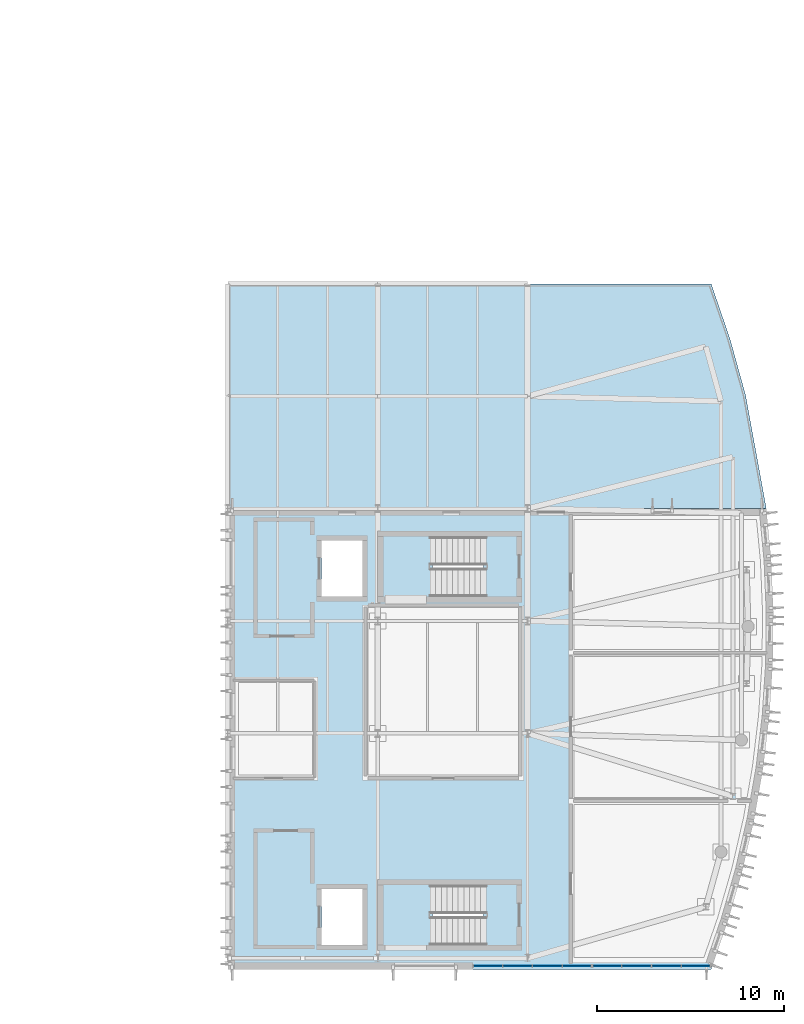
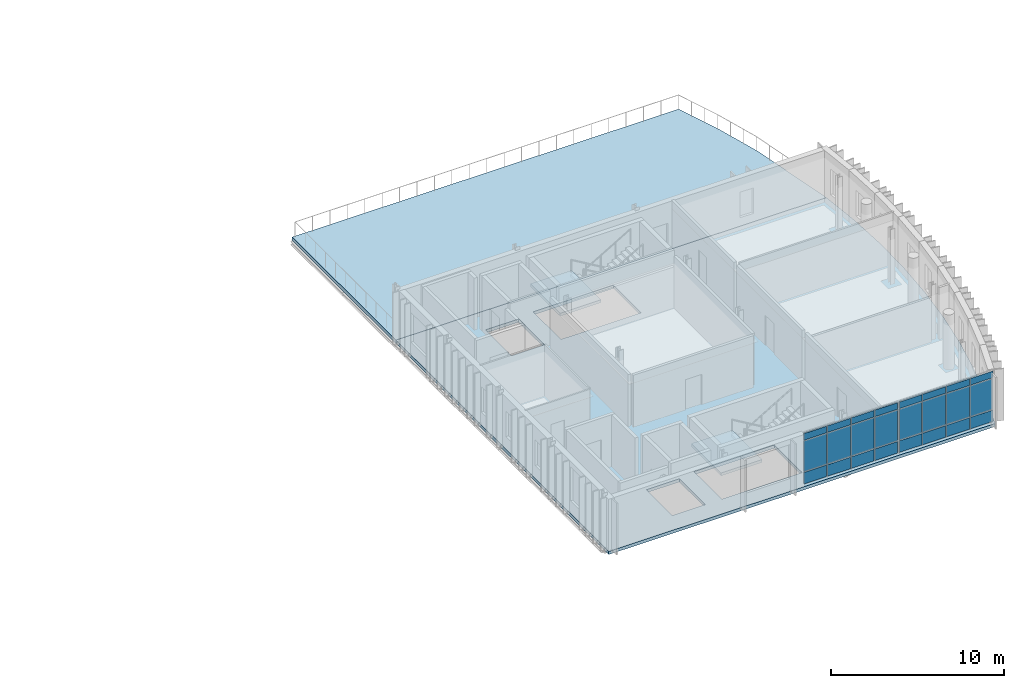
# One storey, part 22 of 40: 24 plates, 4 slabs, 4 elements without a shape of their own.
"""IFC4 building model written with IfcOpenShell, lengths in metres."""

from ifc_helpers import new_model, si_unit, direction, frame, origin, origin_2d, place, context, subcontext, project, spatial, polyline, rectangle, outline, extrude, material, layer, layer_set, type_object, element, aggregate, save


model = new_model("IFC4")

# Units and contexts
model_context = context("Model", 3, precision=1e-05, world=origin(), true_north=direction((0.0, 1.0)))
body_context = subcontext(model_context, "Body", "Model", "MODEL_VIEW")
ifc_project = project(units=[si_unit("LENGTHUNIT", "METRE"), si_unit("AREAUNIT", "SQUARE_METRE"), si_unit("VOLUMEUNIT", "CUBIC_METRE"), si_unit("PLANEANGLEUNIT", "RADIAN"), si_unit("MASSUNIT", "GRAM", prefix="KILO")], contexts=[model_context])

# Site, building, storey
site_placement = place(None, origin())
site = spatial("IfcSite", under=ifc_project, at=site_placement, CompositionType="ELEMENT")
building_placement = place(site_placement, origin())
building = spatial("IfcBuilding", under=site, at=building_placement, Name="Cymarion Research Institute", CompositionType="ELEMENT")
storey_placement = place(building_placement, frame((0.0, 0.0, 26.699951171875)))
storey = spatial("IfcBuildingStorey", under=building, at=storey_placement, Name="L06", CompositionType="ELEMENT", Elevation=26.699951171875)

# Slab
ifc_material_1 = material(Name="Concrete C35/45", Category="concrete")
ifc_layer_1 = layer(ifc_material_1, 0.219970703125)
ifc_layer_set_1 = layer_set([ifc_layer_1], Name="Concrete C35/45")
slab_type_1 = type_object("IfcSlabType", Name="COMPOSITE FLOOR SLAB SL-FL220 220MM", PredefinedType="FLOOR", material=ifc_layer_set_1)
slab_1_placement = place(storey_placement, frame((0.0, 0.0, -0.219970703125)))
element("IfcSlab", 1, at=slab_1_placement, inside=storey, type_object=slab_type_1, Name="L06 V1 floor slab", PredefinedType="FLOOR", context=body_context, shape_type="SweptSolid", body=[
    extrude(outline(polyline([(138.60009765625, 4.89990234375), (164.39990234375, 4.89990234375), (165.30810546875, 7.526611328125), (166.07470703125, 10.197998046875), (166.697509765625, 12.906494140625), (167.1748046875, 15.64453125), (167.5048828125, 18.404052734375), (167.68701171875, 21.177490234375), (167.720947265625, 23.956298828125), (167.606201171875, 26.733154296875), (167.343505859375, 29.5), (138.60009765625, 29.5), (138.60009765625, 4.89990234375)]), holes=[polyline([(152.260009765625, 9.39990234375), (146.89990234375, 9.39990234375), (146.89990234375, 6.199951171875), (152.260009765625, 6.199951171875), (152.260009765625, 9.39990234375)]), polyline([(143.60009765625, 6.199951171875), (145.800048828125, 6.199951171875), (145.800048828125, 9.199951171875), (143.60009765625, 9.199951171875), (143.60009765625, 6.199951171875)]), polyline([(152.260009765625, 28.0), (146.89990234375, 28.0), (146.89990234375, 24.800048828125), (152.260009765625, 24.800048828125), (152.260009765625, 28.0)]), polyline([(143.60009765625, 24.800048828125), (145.800048828125, 24.800048828125), (145.800048828125, 27.800048828125), (143.60009765625, 27.800048828125), (143.60009765625, 24.800048828125)])]), origin(), (0.0, 0.0, 1.0), 0.219970703125),
])

# Curtain wall, plates
ifc_material_2 = material(Name="Anodised aluminium unitised curtain wall with Low-E glazing", Category="aluminium")
curtain_wall_type = type_object("IfcCurtainWallType", Name="UNITISED CURTAIN WALL CW46 6360X3680", PredefinedType="NOTDEFINED", material=ifc_material_2)
curtain_wall_1_placement = place(storey_placement, origin())
curtain_wall_1 = element("IfcCurtainWall", 2, at=curtain_wall_1_placement, inside=storey, type_object=curtain_wall_type, Name="L06 V1 unitised curtain wall CW46 #215", PredefinedType="NOTDEFINED")
ifc_material_3 = material(Name="Insulated anodised aluminium spandrel panel", Category="aluminium")
ifc_layer_2 = layer(ifc_material_3, 0.06005859375)
ifc_layer_set_2 = layer_set([ifc_layer_2], Name="Insulated anodised aluminium spandrel panel")
plate_type_1 = type_object("IfcPlateType", Name="INSULATED ALUMINIUM SPANDREL PANEL SP01 60MM", PredefinedType="SHEET", material=ifc_layer_set_2)
plate_1_placement = place(storey_placement, frame((152.490966796875, 5.090087890625, 0.06005859375), z_axis=(0.0, 0.0, 1.0), x_axis=(1.0, 0.0, 0.0)))
plate_1 = element("IfcPlate", 3, at=plate_1_placement, type_object=plate_type_1, Name="CW46 panel 1.1", PredefinedType="SHEET", context=body_context, shape_type="SweptSolid", body=[
    extrude(rectangle(XDim=1.499755859375, YDim=0.06005859375, at=origin_2d()), origin(), (0.0, 0.0, 1.0), 0.81005859375),
])
plate_2_placement = place(storey_placement, frame((152.490966796875, 5.090087890625, 3.16015625), z_axis=(0.0, 0.0, 1.0), x_axis=(1.0, 0.0, 0.0)))
plate_2 = element("IfcPlate", 4, at=plate_2_placement, type_object=plate_type_1, Name="CW46 panel 1.3", PredefinedType="SHEET", context=body_context, shape_type="SweptSolid", body=[
    extrude(rectangle(XDim=1.499755859375, YDim=0.06005859375, at=origin_2d()), origin(), (0.0, 0.0, 1.0), 0.4599609375),
])
plate_3_placement = place(storey_placement, frame((154.06591796875, 5.090087890625, 0.06005859375), z_axis=(0.0, 0.0, 1.0), x_axis=(1.0, 0.0, 0.0)))
plate_3 = element("IfcPlate", 5, at=plate_3_placement, type_object=plate_type_1, Name="CW46 panel 2.1", PredefinedType="SHEET", context=body_context, shape_type="SweptSolid", body=[
    extrude(rectangle(XDim=1.52978515625, YDim=0.06005859375, at=origin_2d()), origin(), (0.0, 0.0, 1.0), 0.81005859375),
])
plate_4_placement = place(storey_placement, frame((154.06591796875, 5.090087890625, 3.16015625), z_axis=(0.0, 0.0, 1.0), x_axis=(1.0, 0.0, 0.0)))
plate_4 = element("IfcPlate", 6, at=plate_4_placement, type_object=plate_type_1, Name="CW46 panel 2.3", PredefinedType="SHEET", context=body_context, shape_type="SweptSolid", body=[
    extrude(rectangle(XDim=1.52978515625, YDim=0.06005859375, at=origin_2d()), origin(), (0.0, 0.0, 1.0), 0.4599609375),
])
plate_5_placement = place(storey_placement, frame((155.65576171875, 5.090087890625, 0.06005859375), z_axis=(0.0, 0.0, 1.0), x_axis=(1.0, 0.0, 0.0)))
plate_5 = element("IfcPlate", 7, at=plate_5_placement, type_object=plate_type_1, Name="CW46 panel 3.1", PredefinedType="SHEET", context=body_context, shape_type="SweptSolid", body=[
    extrude(rectangle(XDim=1.52978515625, YDim=0.06005859375, at=origin_2d()), origin(), (0.0, 0.0, 1.0), 0.81005859375),
])
plate_6_placement = place(storey_placement, frame((155.65576171875, 5.090087890625, 3.16015625), z_axis=(0.0, 0.0, 1.0), x_axis=(1.0, 0.0, 0.0)))
plate_6 = element("IfcPlate", 8, at=plate_6_placement, type_object=plate_type_1, Name="CW46 panel 3.3", PredefinedType="SHEET", context=body_context, shape_type="SweptSolid", body=[
    extrude(rectangle(XDim=1.52978515625, YDim=0.06005859375, at=origin_2d()), origin(), (0.0, 0.0, 1.0), 0.4599609375),
])
plate_7_placement = place(storey_placement, frame((157.23046875, 5.090087890625, 0.06005859375), z_axis=(0.0, 0.0, 1.0), x_axis=(1.0, 0.0, 0.0)))
plate_7 = element("IfcPlate", 9, at=plate_7_placement, type_object=plate_type_1, Name="CW46 panel 4.1", PredefinedType="SHEET", context=body_context, shape_type="SweptSolid", body=[
    extrude(rectangle(XDim=1.499755859375, YDim=0.06005859375, at=origin_2d()), origin(), (0.0, 0.0, 1.0), 0.81005859375),
])
plate_8_placement = place(storey_placement, frame((157.23046875, 5.090087890625, 3.16015625), z_axis=(0.0, 0.0, 1.0), x_axis=(1.0, 0.0, 0.0)))
plate_8 = element("IfcPlate", 10, at=plate_8_placement, type_object=plate_type_1, Name="CW46 panel 4.3", PredefinedType="SHEET", context=body_context, shape_type="SweptSolid", body=[
    extrude(rectangle(XDim=1.499755859375, YDim=0.06005859375, at=origin_2d()), origin(), (0.0, 0.0, 1.0), 0.4599609375),
])

curtain_wall_2_placement = place(storey_placement, origin())
curtain_wall_2 = element("IfcCurtainWall", 11, at=curtain_wall_2_placement, inside=storey, type_object=curtain_wall_type, Name="L06 V1 unitised curtain wall CW46 #216", PredefinedType="NOTDEFINED")
plate_9_placement = place(storey_placement, frame((158.850341796875, 5.090087890625, 0.06005859375), z_axis=(0.0, 0.0, 1.0), x_axis=(1.0, 0.0, 0.0)))
plate_9 = element("IfcPlate", 12, at=plate_9_placement, type_object=plate_type_1, Name="CW46 panel 1.1", PredefinedType="SHEET", context=body_context, shape_type="SweptSolid", body=[
    extrude(rectangle(XDim=1.499755859375, YDim=0.06005859375, at=origin_2d()), origin(), (0.0, 0.0, 1.0), 0.81005859375),
])
plate_10_placement = place(storey_placement, frame((158.850341796875, 5.090087890625, 3.16015625), z_axis=(0.0, 0.0, 1.0), x_axis=(1.0, 0.0, 0.0)))
plate_10 = element("IfcPlate", 13, at=plate_10_placement, type_object=plate_type_1, Name="CW46 panel 1.3", PredefinedType="SHEET", context=body_context, shape_type="SweptSolid", body=[
    extrude(rectangle(XDim=1.499755859375, YDim=0.06005859375, at=origin_2d()), origin(), (0.0, 0.0, 1.0), 0.4599609375),
])
plate_11_placement = place(storey_placement, frame((160.42529296875, 5.090087890625, 0.06005859375), z_axis=(0.0, 0.0, 1.0), x_axis=(1.0, 0.0, 0.0)))
plate_11 = element("IfcPlate", 14, at=plate_11_placement, type_object=plate_type_1, Name="CW46 panel 2.1", PredefinedType="SHEET", context=body_context, shape_type="SweptSolid", body=[
    extrude(rectangle(XDim=1.52978515625, YDim=0.06005859375, at=origin_2d()), origin(), (0.0, 0.0, 1.0), 0.81005859375),
])
plate_12_placement = place(storey_placement, frame((160.42529296875, 5.090087890625, 3.16015625), z_axis=(0.0, 0.0, 1.0), x_axis=(1.0, 0.0, 0.0)))
plate_12 = element("IfcPlate", 15, at=plate_12_placement, type_object=plate_type_1, Name="CW46 panel 2.3", PredefinedType="SHEET", context=body_context, shape_type="SweptSolid", body=[
    extrude(rectangle(XDim=1.52978515625, YDim=0.06005859375, at=origin_2d()), origin(), (0.0, 0.0, 1.0), 0.4599609375),
])
plate_13_placement = place(storey_placement, frame((162.01513671875, 5.090087890625, 0.06005859375), z_axis=(0.0, 0.0, 1.0), x_axis=(1.0, 0.0, 0.0)))
plate_13 = element("IfcPlate", 16, at=plate_13_placement, type_object=plate_type_1, Name="CW46 panel 3.1", PredefinedType="SHEET", context=body_context, shape_type="SweptSolid", body=[
    extrude(rectangle(XDim=1.52978515625, YDim=0.06005859375, at=origin_2d()), origin(), (0.0, 0.0, 1.0), 0.81005859375),
])
plate_14_placement = place(storey_placement, frame((162.01513671875, 5.090087890625, 3.16015625), z_axis=(0.0, 0.0, 1.0), x_axis=(1.0, 0.0, 0.0)))
plate_14 = element("IfcPlate", 17, at=plate_14_placement, type_object=plate_type_1, Name="CW46 panel 3.3", PredefinedType="SHEET", context=body_context, shape_type="SweptSolid", body=[
    extrude(rectangle(XDim=1.52978515625, YDim=0.06005859375, at=origin_2d()), origin(), (0.0, 0.0, 1.0), 0.4599609375),
])
plate_15_placement = place(storey_placement, frame((163.590087890625, 5.090087890625, 0.06005859375), z_axis=(0.0, 0.0, 1.0), x_axis=(1.0, 0.0, 0.0)))
plate_15 = element("IfcPlate", 18, at=plate_15_placement, type_object=plate_type_1, Name="CW46 panel 4.1", PredefinedType="SHEET", context=body_context, shape_type="SweptSolid", body=[
    extrude(rectangle(XDim=1.499755859375, YDim=0.06005859375, at=origin_2d()), origin(), (0.0, 0.0, 1.0), 0.81005859375),
])
plate_16_placement = place(storey_placement, frame((163.590087890625, 5.090087890625, 3.16015625), z_axis=(0.0, 0.0, 1.0), x_axis=(1.0, 0.0, 0.0)))
plate_16 = element("IfcPlate", 19, at=plate_16_placement, type_object=plate_type_1, Name="CW46 panel 4.3", PredefinedType="SHEET", context=body_context, shape_type="SweptSolid", body=[
    extrude(rectangle(XDim=1.499755859375, YDim=0.06005859375, at=origin_2d()), origin(), (0.0, 0.0, 1.0), 0.4599609375),
])

# Stair, slab
stair_type = type_object("IfcStairType", Name="REINFORCED CONCRETE DOGLEG STAIR STR-3900", PredefinedType="HALF_TURN_STAIR", material=ifc_material_1)
stair_1_placement = place(storey_placement, origin())
stair_1 = element("IfcStair", 20, at=stair_1_placement, inside=storey, type_object=stair_type, Name="L06 Core C1 Smoke-Proof Exit Stair ST1", PredefinedType="HALF_TURN_STAIR")
ifc_layer_3 = layer(ifc_material_1, 0.199951171875)
ifc_layer_set_3 = layer_set([ifc_layer_3], Name="Concrete C35/45")
slab_type_2 = type_object("IfcSlabType", Name="REINFORCED CONCRETE STAIR LANDING LDG200", PredefinedType="LANDING", material=ifc_layer_set_3)
slab_2_placement = place(storey_placement, frame((0.0, 0.0, 1.75)))
slab_2 = element("IfcSlab", 21, at=slab_2_placement, type_object=slab_type_2, Name="ST1 landing 1", PredefinedType="LANDING", context=body_context, shape_type="SweptSolid", body=[
    extrude(outline(polyline([(149.52001953125, 9.52001953125), (149.52001953125, 6.080078125), (146.780029296875, 6.080078125), (146.780029296875, 9.52001953125), (149.52001953125, 9.52001953125)])), origin(), (0.0, 0.0, 1.0), 0.199951171875),
])
aggregate(stair_1, [slab_2])

stair_2_placement = place(storey_placement, origin())
stair_2 = element("IfcStair", 22, at=stair_2_placement, inside=storey, type_object=stair_type, Name="L06 Core C2 Smoke-Proof Exit Stair ST2", PredefinedType="HALF_TURN_STAIR")
slab_3_placement = place(storey_placement, frame((0.0, 0.0, 1.75)))
slab_3 = element("IfcSlab", 23, at=slab_3_placement, type_object=slab_type_2, Name="ST2 landing 1", PredefinedType="LANDING", context=body_context, shape_type="SweptSolid", body=[
    extrude(outline(polyline([(149.52001953125, 28.1201171875), (149.52001953125, 24.679931640625), (146.780029296875, 24.679931640625), (146.780029296875, 28.1201171875), (149.52001953125, 28.1201171875)])), origin(), (0.0, 0.0, 1.0), 0.199951171875),
])
aggregate(stair_2, [slab_3])

# Slab
ifc_layer_4 = layer(ifc_material_1, 0.260009765625)
ifc_layer_set_4 = layer_set([ifc_layer_4], Name="Concrete C35/45")
slab_type_3 = type_object("IfcSlabType", Name="ROOF SLAB SL-TR260 260MM", PredefinedType="ROOF", material=ifc_layer_set_4)
slab_4_placement = place(storey_placement, frame((0.0, 0.0, -0.260009765625)))
element("IfcSlab", 24, at=slab_4_placement, inside=storey, type_object=slab_type_3, Name="V1 planted roof garden terrace", PredefinedType="ROOF", context=body_context, shape_type="SweptSolid", body=[
    extrude(outline(polyline([(138.60009765625, 29.5), (167.343505859375, 29.5), (166.2392578125, 35.5478515625), (165.40869140625, 38.551513671875), (164.39990234375, 41.5), (138.60009765625, 41.5), (138.60009765625, 29.5)])), origin(), (0.0, 0.0, 1.0), 0.260009765625),
])

# Plate
ifc_material_4 = material(Name="Low-E double solar-control glazing", Category="glass")
ifc_layer_5 = layer(ifc_material_4, 0.035888671875)
ifc_layer_set_5 = layer_set([ifc_layer_5], Name="Low-E double solar-control glazing")
plate_type_2 = type_object("IfcPlateType", Name="SOLAR CONTROL GLAZED VISION PANEL GP01 36MM", PredefinedType="CURTAIN_PANEL", material=ifc_layer_set_5)
plate_17_placement = place(storey_placement, frame((152.490966796875, 5.090087890625, 0.93017578125), z_axis=(0.0, 0.0, 1.0), x_axis=(1.0, 0.0, 0.0)))
plate_17 = element("IfcPlate", 25, at=plate_17_placement, type_object=plate_type_2, Name="CW46 panel 1.2", PredefinedType="CURTAIN_PANEL", context=body_context, shape_type="SweptSolid", body=[
    extrude(rectangle(XDim=1.499755859375, YDim=0.035888671875, at=origin_2d()), origin(), (0.0, 0.0, 1.0), 2.169921875),
])

plate_18_placement = place(storey_placement, frame((154.06591796875, 5.090087890625, 0.93017578125), z_axis=(0.0, 0.0, 1.0), x_axis=(1.0, 0.0, 0.0)))
plate_18 = element("IfcPlate", 26, at=plate_18_placement, type_object=plate_type_2, Name="CW46 panel 2.2", PredefinedType="CURTAIN_PANEL", context=body_context, shape_type="SweptSolid", body=[
    extrude(rectangle(XDim=1.52978515625, YDim=0.035888671875, at=origin_2d()), origin(), (0.0, 0.0, 1.0), 2.169921875),
])

plate_19_placement = place(storey_placement, frame((155.65576171875, 5.090087890625, 0.93017578125), z_axis=(0.0, 0.0, 1.0), x_axis=(1.0, 0.0, 0.0)))
plate_19 = element("IfcPlate", 27, at=plate_19_placement, type_object=plate_type_2, Name="CW46 panel 3.2", PredefinedType="CURTAIN_PANEL", context=body_context, shape_type="SweptSolid", body=[
    extrude(rectangle(XDim=1.52978515625, YDim=0.035888671875, at=origin_2d()), origin(), (0.0, 0.0, 1.0), 2.169921875),
])

plate_20_placement = place(storey_placement, frame((157.23046875, 5.090087890625, 0.93017578125), z_axis=(0.0, 0.0, 1.0), x_axis=(1.0, 0.0, 0.0)))
plate_20 = element("IfcPlate", 28, at=plate_20_placement, type_object=plate_type_2, Name="CW46 panel 4.2", PredefinedType="CURTAIN_PANEL", context=body_context, shape_type="SweptSolid", body=[
    extrude(rectangle(XDim=1.499755859375, YDim=0.035888671875, at=origin_2d()), origin(), (0.0, 0.0, 1.0), 2.169921875),
])

aggregate(curtain_wall_1, [plate_1, plate_17, plate_2, plate_3, plate_18, plate_4, plate_5, plate_19, plate_6, plate_7, plate_20, plate_8])

plate_21_placement = place(storey_placement, frame((158.850341796875, 5.090087890625, 0.93017578125), z_axis=(0.0, 0.0, 1.0), x_axis=(1.0, 0.0, 0.0)))
plate_21 = element("IfcPlate", 29, at=plate_21_placement, type_object=plate_type_2, Name="CW46 panel 1.2", PredefinedType="CURTAIN_PANEL", context=body_context, shape_type="SweptSolid", body=[
    extrude(rectangle(XDim=1.499755859375, YDim=0.035888671875, at=origin_2d()), origin(), (0.0, 0.0, 1.0), 2.169921875),
])

plate_22_placement = place(storey_placement, frame((160.42529296875, 5.090087890625, 0.93017578125), z_axis=(0.0, 0.0, 1.0), x_axis=(1.0, 0.0, 0.0)))
plate_22 = element("IfcPlate", 30, at=plate_22_placement, type_object=plate_type_2, Name="CW46 panel 2.2", PredefinedType="CURTAIN_PANEL", context=body_context, shape_type="SweptSolid", body=[
    extrude(rectangle(XDim=1.52978515625, YDim=0.035888671875, at=origin_2d()), origin(), (0.0, 0.0, 1.0), 2.169921875),
])

plate_23_placement = place(storey_placement, frame((162.01513671875, 5.090087890625, 0.93017578125), z_axis=(0.0, 0.0, 1.0), x_axis=(1.0, 0.0, 0.0)))
plate_23 = element("IfcPlate", 31, at=plate_23_placement, type_object=plate_type_2, Name="CW46 panel 3.2", PredefinedType="CURTAIN_PANEL", context=body_context, shape_type="SweptSolid", body=[
    extrude(rectangle(XDim=1.52978515625, YDim=0.035888671875, at=origin_2d()), origin(), (0.0, 0.0, 1.0), 2.169921875),
])

plate_24_placement = place(storey_placement, frame((163.590087890625, 5.090087890625, 0.93017578125), z_axis=(0.0, 0.0, 1.0), x_axis=(1.0, 0.0, 0.0)))
plate_24 = element("IfcPlate", 32, at=plate_24_placement, type_object=plate_type_2, Name="CW46 panel 4.2", PredefinedType="CURTAIN_PANEL", context=body_context, shape_type="SweptSolid", body=[
    extrude(rectangle(XDim=1.499755859375, YDim=0.035888671875, at=origin_2d()), origin(), (0.0, 0.0, 1.0), 2.169921875),
])

aggregate(curtain_wall_2, [plate_9, plate_21, plate_10, plate_11, plate_22, plate_12, plate_13, plate_23, plate_14, plate_15, plate_24, plate_16])

save(model, "model.ifc")
